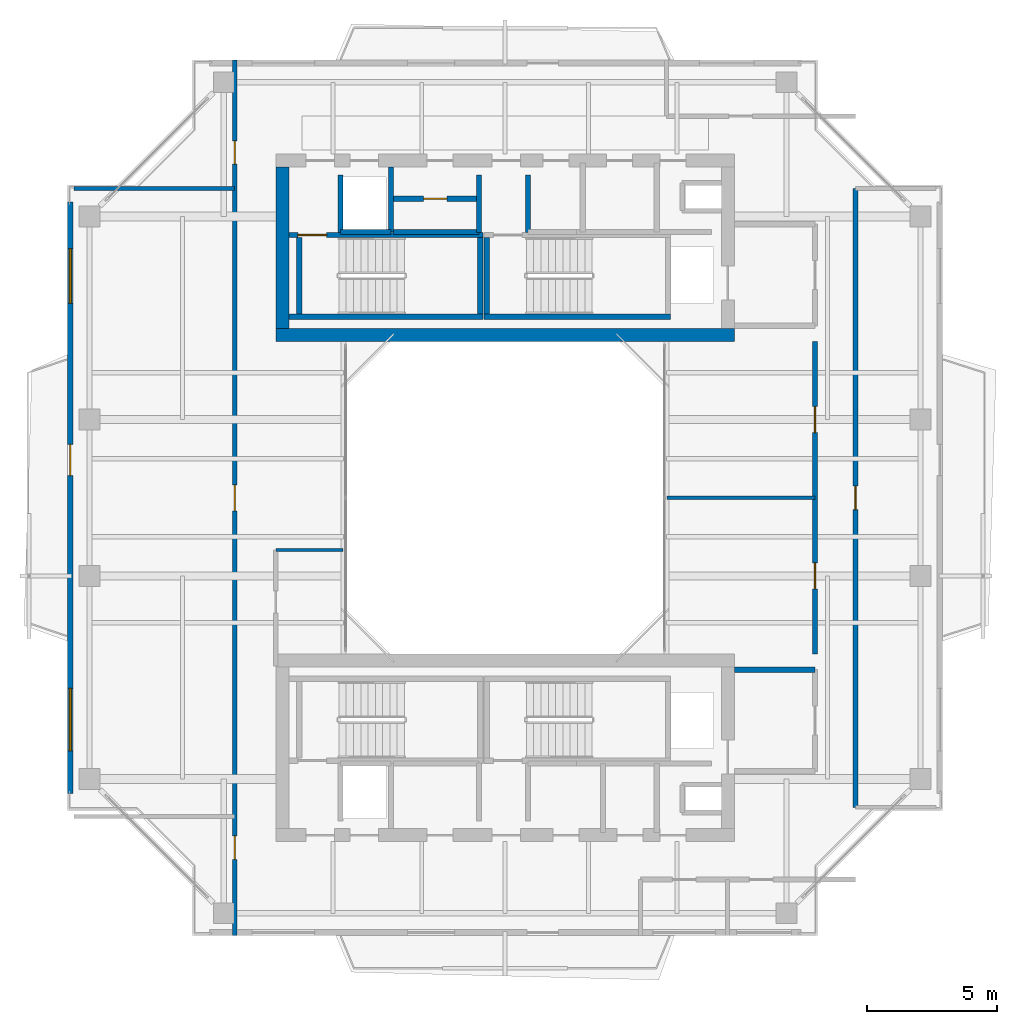
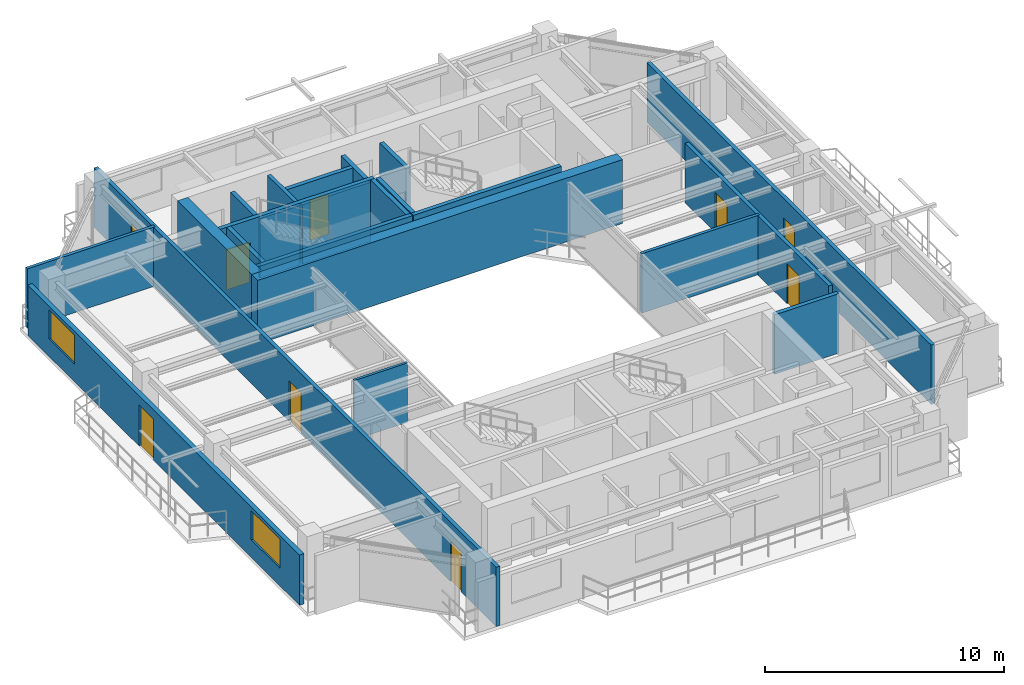
# One storey, part 11 of 16: 23 walls, 9 doors, 2 windows, 11 openings.
"""IFC4 building model written with IfcOpenShell, lengths in metres."""

import ifcopenshell
import ifcopenshell.guid

model = None  # the IFC model being written
_history = None  # IfcOwnerHistory: only IFC2X3 demands one
_inside = {}  # id of a spatial element -> (the spatial element, [elements in it])
_under = {}  # id of a project, library or spatial element -> (it, [spatial elements below it])
_declared = {}  # id of a project -> (the project, [libraries it declares])
_typed = {}  # id of a type object -> (the type object, [elements of that type])
_made_of = {}  # id of a material, layer set ... -> (it, [elements and type objects made of it])


def new_model(schema):
    """Start an empty IFC model of exactly this schema.

    Asked for "IFC4X3", IfcOpenShell would pick the latest addendum, in which some entities
    have other attributes; the version numbers below select the first issue.
    IFC2X3 requires an IfcOwnerHistory on every rooted entity: one is made here for all.
    """
    global model, _history
    if schema == "IFC4X3":
        model = ifcopenshell.file(schema_version=(4, 3, 0, 0))
    else:
        model = ifcopenshell.file(schema=schema)
    _inside.clear()
    _under.clear()
    _declared.clear()
    _typed.clear()
    _made_of.clear()
    _history = None
    if model.schema == "IFC2X3":
        org = make("IfcOrganization", Name="unknown")
        user = make(
            "IfcPersonAndOrganization",
            ThePerson=make("IfcPerson", FamilyName="unknown"),
            TheOrganization=org,
        )
        app = make(
            "IfcApplication",
            ApplicationDeveloper=org,
            Version="unknown",
            ApplicationFullName="unknown",
            ApplicationIdentifier="unknown",
        )
        _history = make(
            "IfcOwnerHistory",
            OwningUser=user,
            OwningApplication=app,
            ChangeAction="ADDED",
            CreationDate=0,
        )
    return model


def make(cls, **values):
    """One entity of the class cls with the attributes given. An attribute that is None is left unset."""
    return model.create_entity(
        cls, **{name: value for name, value in values.items() if value is not None}
    )


def rooted(cls, **values):
    """An entity with a GlobalId (a new one), such as an element, a storey or a relation."""
    return make(cls, GlobalId=ifcopenshell.guid.new(), OwnerHistory=_history, **values)


def si_unit(unit_type, name, prefix=None):
    """IfcSIUnit, for example si_unit("LENGTHUNIT", "METRE", prefix="MILLI")."""
    return make("IfcSIUnit", UnitType=unit_type, Prefix=prefix, Name=name)


def assignment(units):
    """IfcUnitAssignment: the units of a project."""
    return None if units is None else make("IfcUnitAssignment", Units=units)


def point(xyz):
    """IfcCartesianPoint."""
    return None if xyz is None else make("IfcCartesianPoint", Coordinates=xyz)


def direction(xyz):
    """IfcDirection."""
    return None if xyz is None else make("IfcDirection", DirectionRatios=xyz)


def frame(location, z_axis=None, x_axis=None):
    """IfcAxis2Placement3D, a coordinate frame: its origin and axes. An axis left out is left unset."""
    return make(
        "IfcAxis2Placement3D",
        Location=point(location),
        Axis=direction(z_axis),
        RefDirection=direction(x_axis),
    )


def frame_2d(location, x_axis=None):
    """IfcAxis2Placement2D, a coordinate frame in the plane: its origin and x axis."""
    return make(
        "IfcAxis2Placement2D", Location=point(location), RefDirection=direction(x_axis)
    )


def origin():
    """The frame at (0, 0, 0) with its axes left unset."""
    return frame((0.0, 0.0, 0.0))


def place(relative_to, where):
    """IfcLocalPlacement: puts the frame where relative to a parent placement (None: the world)."""
    return make(
        "IfcLocalPlacement", PlacementRelTo=relative_to, RelativePlacement=where
    )


def context(
    kind, dimensions, precision=None, world=None, true_north=None, identifier=None
):
    """IfcGeometricRepresentationContext, for example the 3D "Model" context."""
    return make(
        "IfcGeometricRepresentationContext",
        ContextIdentifier=identifier,
        ContextType=kind,
        CoordinateSpaceDimension=dimensions,
        Precision=precision,
        WorldCoordinateSystem=world,
        TrueNorth=true_north,
    )


def subcontext(parent, identifier, kind, view, scale=None):
    """IfcGeometricRepresentationSubContext, for example "Body" below "Model"."""
    return make(
        "IfcGeometricRepresentationSubContext",
        ContextIdentifier=identifier,
        ContextType=kind,
        ParentContext=parent,
        TargetScale=scale,
        TargetView=view,
    )


def project(units=None, contexts=None):
    """IfcProject with its units and contexts."""
    return rooted(
        "IfcProject",
        Name="project",
        RepresentationContexts=contexts,
        UnitsInContext=assignment(units),
    )


def spatial(cls, under=None, at=None, **own):
    """A site, building, storey or space (cls), placed at a placement, below another one or the project."""
    s = rooted(cls, ObjectPlacement=at, **own)
    if under is not None:
        _under.setdefault(under.id(), (under, []))[1].append(s)
    return s


def profile(cls, at=None, kind="AREA", **sizes):
    """A parametric profile (cls). Its sizes go by their IFC names, for example OverallWidth=200.0."""
    return make(cls, ProfileType=kind, Position=at, **sizes)


def rectangle(**sizes):
    """IfcRectangleProfileDef."""
    return profile("IfcRectangleProfileDef", **sizes)


def extrude(swept, where, along, depth):
    """IfcExtrudedAreaSolid: the profile swept, set in the frame where, extruded along a direction by depth."""
    return make(
        "IfcExtrudedAreaSolid",
        SweptArea=swept,
        Position=where,
        ExtrudedDirection=direction(along),
        Depth=depth,
    )


def shape(context_of_items, identifier, shape_type, items):
    """IfcShapeRepresentation: the items that make up one representation, for example the "Body"."""
    return make(
        "IfcShapeRepresentation",
        ContextOfItems=context_of_items,
        RepresentationIdentifier=identifier,
        RepresentationType=shape_type,
        Items=items,
    )


def source(mapping_origin, context_of_items, identifier, shape_type, items):
    """IfcRepresentationMap: a shape defined once, which mapped items show again and again."""
    return make(
        "IfcRepresentationMap",
        MappingOrigin=mapping_origin,
        MappedRepresentation=shape(context_of_items, identifier, shape_type, items),
    )


def transform(
    local_origin,
    x_axis=None,
    y_axis=None,
    z_axis=None,
    scale=None,
    scale2=None,
    scale3=None,
    uniform=True,
):
    """IfcCartesianTransformationOperator3D, or its non-uniform kind. x_axis, y_axis, z_axis: its Axis1, 2, 3."""
    if uniform:
        return make(
            "IfcCartesianTransformationOperator3D",
            Axis1=direction(x_axis),
            Axis2=direction(y_axis),
            LocalOrigin=point(local_origin),
            Scale=scale,
            Axis3=direction(z_axis),
        )
    return make(
        "IfcCartesianTransformationOperator3DnonUniform",
        Axis1=direction(x_axis),
        Axis2=direction(y_axis),
        LocalOrigin=point(local_origin),
        Scale=scale,
        Axis3=direction(z_axis),
        Scale2=scale2,
        Scale3=scale3,
    )


def mapped(mapping_source, mapping_target):
    """IfcMappedItem: shows the shape of a source again, moved by a transform."""
    return make(
        "IfcMappedItem", MappingSource=mapping_source, MappingTarget=mapping_target
    )


def material(Name=None, Category=None):
    """IfcMaterial."""
    return make("IfcMaterial", Name=Name, Category=Category)


def layer(
    of_material, thickness, ventilated=None, Name=None, Category=None, Priority=None
):
    """IfcMaterialLayer: one layer of a wall or slab, of a material (None: an air gap)."""
    return make(
        "IfcMaterialLayer",
        Material=of_material,
        LayerThickness=thickness,
        IsVentilated=ventilated,
        Name=Name,
        Category=Category,
        Priority=Priority,
    )


def layer_set(layers, Name=None):
    """IfcMaterialLayerSet."""
    return make("IfcMaterialLayerSet", MaterialLayers=layers, LayerSetName=Name)


def made_of(thing, what):
    """Note that an element or type object is made of a material, layer set ...; save() writes the relation."""
    if what is not None:
        _made_of.setdefault(what.id(), (what, []))[1].append(thing)
    return thing


def type_object(cls, material=None, **own):
    """A type object (cls), such as IfcWallType, which elements share."""
    return made_of(rooted(cls, **own), material)


def element(
    cls,
    number,
    at=None,
    inside=None,
    cuts=None,
    type_object=None,
    material=None,
    context=None,
    identifier="Body",
    shape_type=None,
    held_by="IfcProductDefinitionShape",
    body=None,
    shapes=None,
    **own,
):
    """One element of the class cls, such as IfcWall. Its Tag is "e" and its number.

    at: its placement. inside: the storey or other place that contains it. cuts: it is an
    opening in that element (IfcRelVoidsElement). A single representation is given by context,
    identifier, shape_type and body (its items); several are given by shapes. held_by: the class
    of the entity that holds the representations. save() writes the other relations.
    """
    e = rooted(cls, Tag="e%d" % number, ObjectPlacement=at, **own)
    if body is not None:
        shapes = [shape(context, identifier, shape_type, body)]
    if shapes is not None:
        e.Representation = make(held_by, Representations=shapes)
    if inside is not None:
        _inside.setdefault(inside.id(), (inside, []))[1].append(e)
    if cuts is not None:
        rooted(
            "IfcRelVoidsElement", RelatingBuildingElement=cuts, RelatedOpeningElement=e
        )
    if type_object is not None:
        _typed.setdefault(type_object.id(), (type_object, []))[1].append(e)
    return made_of(e, material)


def fill(opening, filler):
    """IfcRelFillsElement: the door or window that sits in an opening."""
    return rooted(
        "IfcRelFillsElement",
        RelatingOpeningElement=opening,
        RelatedBuildingElement=filler,
    )


def aggregate(whole, parts):
    """IfcRelAggregates: a whole, such as a stair, and the parts it consists of."""
    return rooted("IfcRelAggregates", RelatingObject=whole, RelatedObjects=parts)


def save(model, path):
    """Write the relations noted so far, then the file.

    IfcRelAggregates (storeys below a building ...), IfcRelContainedInSpatialStructure (elements
    in a storey), IfcRelDefinesByType, IfcRelAssociatesMaterial and IfcRelDeclares: one each for
    every whole, place, type object, material and project.
    """
    for whole, parts in _under.values():
        aggregate(whole, parts)
    for where, things in _inside.values():
        rooted(
            "IfcRelContainedInSpatialStructure",
            RelatedElements=things,
            RelatingStructure=where,
        )
    for kind, things in _typed.values():
        rooted("IfcRelDefinesByType", RelatedObjects=things, RelatingType=kind)
    for what, things in _made_of.values():
        rooted("IfcRelAssociatesMaterial", RelatedObjects=things, RelatingMaterial=what)
    for by, libraries in _declared.values():
        rooted("IfcRelDeclares", RelatingContext=by, RelatedDefinitions=libraries)
    model.write(path)


model = new_model("IFC4")

# Units and contexts
model_context = context("Model", 3, precision=1e-05, world=origin(), true_north=direction((0.0, 1.0)))
body_context = subcontext(model_context, "Body", "Model", "MODEL_VIEW")
ifc_project = project(units=[si_unit("LENGTHUNIT", "METRE"), si_unit("AREAUNIT", "SQUARE_METRE"), si_unit("VOLUMEUNIT", "CUBIC_METRE"), si_unit("PLANEANGLEUNIT", "RADIAN"), si_unit("MASSUNIT", "GRAM", prefix="KILO"), si_unit("THERMODYNAMICTEMPERATUREUNIT", "KELVIN"), si_unit("POWERUNIT", "WATT")], contexts=[model_context])

# Site, building, storey
site_placement = place(None, origin())
site = spatial("IfcSite", under=ifc_project, at=site_placement, CompositionType="ELEMENT")
building_placement = place(site_placement, origin())
building = spatial("IfcBuilding", under=site, at=building_placement, Name="Qiaomeng Ring Towers", CompositionType="ELEMENT")
storey_placement = place(building_placement, frame((0.0, 0.0, 229.5)))
storey = spatial("IfcBuildingStorey", under=building, at=storey_placement, Name="L67", CompositionType="ELEMENT", Elevation=229.5)

# Wall, openings, windows, door
ifc_material_1 = material(Name="Precast concrete C40", Category="concrete")
ifc_layer_1 = layer(ifc_material_1, 0.219970703125, Name="Precast concrete C40")
ifc_layer_set_1 = layer_set([ifc_layer_1], Name="Precast concrete C40")
wall_type_1 = type_object("IfcWallType", Name="ARC-WL-EW2", PredefinedType="STANDARD", material=ifc_layer_set_1)
wall_1_placement = place(storey_placement, frame((2.31005859375, 11.64990234375, 0.0), z_axis=(0.0, 0.0, 1.0), x_axis=(0.0, 1.0, 0.0)))
wall_1 = element("IfcWall", 1, at=wall_1_placement, inside=storey, type_object=wall_type_1, Name="L67 Tower 1 W Exterior Wall", PredefinedType="STANDARD", context=body_context, shape_type="SweptSolid", body=[
    extrude(rectangle(XDim=22.7001953125, YDim=0.219970703125, at=frame_2d((11.35009765625, 0.0))), origin(), (0.0, 0.0, 1.0), 2.570068359375),
])
opening_1_placement = place(wall_1_placement, frame((12.199951171875, 0.0, 0.0)))
opening_1 = element("IfcOpeningElement", 2, at=opening_1_placement, cuts=wall_1, Name="Opening BD1", PredefinedType="OPENING", context=body_context, shape_type="SweptSolid", body=[
    extrude(rectangle(XDim=1.199951171875, YDim=2.10009765625, at=frame_2d((0.60009765625, 1.050048828125))), frame((0.0, 0.119873046875, 0.0), z_axis=(0.0, -1.0, 0.0), x_axis=(1.0, 0.0, 0.0)), (0.0, 0.0, 1.0), 0.239990234375),
])
opening_2_placement = place(wall_1_placement, frame((1.637939453125, 0.0, 0.89990234375)))
opening_2 = element("IfcOpeningElement", 3, at=opening_2_placement, cuts=wall_1, Name="Opening WN6", PredefinedType="OPENING", context=body_context, shape_type="SweptSolid", body=[
    extrude(rectangle(XDim=2.39990234375, YDim=1.47998046875, at=frame_2d((1.199951171875, 0.739990234375))), frame((0.0, 0.119873046875, 0.0), z_axis=(0.0, -1.0, 0.0), x_axis=(1.0, 0.0, 0.0)), (0.0, 0.0, 1.0), 0.239990234375),
])
opening_3_placement = place(wall_1_placement, frame((18.81298828125, 0.0, 0.89990234375)))
opening_3 = element("IfcOpeningElement", 4, at=opening_3_placement, cuts=wall_1, Name="Opening WN4", PredefinedType="OPENING", context=body_context, shape_type="SweptSolid", body=[
    extrude(rectangle(XDim=2.10009765625, YDim=1.47998046875, at=frame_2d((1.050048828125, 0.739990234375))), frame((0.0, 0.119873046875, 0.0), z_axis=(0.0, -1.0, 0.0), x_axis=(1.0, 0.0, 0.0)), (0.0, 0.0, 1.0), 0.239990234375),
])
ifc_material_2 = material(Name="Low-E dark-grey laminated double glazing", Category="glass")
window_type_1 = type_object("IfcWindowType", Name="ARC-WN-4", PartitioningType="TRIPLE_PANEL_VERTICAL", PredefinedType="WINDOW", material=ifc_material_2)
shared_shape_1 = source(origin(), body_context, "Body", "SweptSolid", [
    extrude(rectangle(XDim=2.10009765625, YDim=1.47998046875, at=frame_2d((1.050048828125, 0.739990234375))), frame((0.0, 0.030029296875, 0.0), z_axis=(0.0, -1.0, 0.0), x_axis=(1.0, 0.0, 0.0)), (0.0, 0.0, 1.0), 0.06005859375),
])
window_1_placement = place(opening_3_placement, origin())
window_1 = element("IfcWindow", 5, at=window_1_placement, inside=storey, type_object=window_type_1, Name="L67 Exterior Window WN4", OverallHeight=1.47998046875, OverallWidth=2.10009765625, PartitioningType="TRIPLE_PANEL_VERTICAL", PredefinedType="WINDOW", context=body_context, shape_type="MappedRepresentation", body=[
    mapped(shared_shape_1, transform((0.0, 0.0, 0.0), x_axis=(1.0, 0.0, 0.0), y_axis=(0.0, 1.0, 0.0), z_axis=(0.0, 0.0, 1.0), scale=1.0)),
])
fill(opening_3, window_1)
window_type_2 = type_object("IfcWindowType", Name="ARC-WN-6", PartitioningType="TRIPLE_PANEL_VERTICAL", PredefinedType="WINDOW", material=ifc_material_2)
shared_shape_2 = source(origin(), body_context, "Body", "SweptSolid", [
    extrude(rectangle(XDim=2.39990234375, YDim=1.47998046875, at=frame_2d((1.199951171875, 0.739990234375))), frame((0.0, 0.030029296875, 0.0), z_axis=(0.0, -1.0, 0.0), x_axis=(1.0, 0.0, 0.0)), (0.0, 0.0, 1.0), 0.06005859375),
])
window_2_placement = place(opening_2_placement, origin())
window_2 = element("IfcWindow", 6, at=window_2_placement, inside=storey, type_object=window_type_2, Name="L67 Exterior Window WN6", OverallHeight=1.47998046875, OverallWidth=2.39990234375, PartitioningType="TRIPLE_PANEL_VERTICAL", PredefinedType="WINDOW", context=body_context, shape_type="MappedRepresentation", body=[
    mapped(shared_shape_2, transform((0.0, 0.0, 0.0), x_axis=(1.0, 0.0, 0.0), y_axis=(0.0, 1.0, 0.0), z_axis=(0.0, 0.0, 1.0), scale=1.0)),
])
fill(opening_2, window_2)
door_type_1 = type_object("IfcDoorType", Name="ARC-DR-BD1", OperationType="NOTDEFINED", PredefinedType="DOOR", material=ifc_material_2)
shared_shape_3 = source(origin(), body_context, "Body", "SweptSolid", [
    extrude(rectangle(XDim=1.199951171875, YDim=2.10009765625, at=frame_2d((0.60009765625, 1.050048828125))), frame((0.0, 0.02490234375, 0.0), z_axis=(0.0, -1.0, 0.0), x_axis=(1.0, 0.0, 0.0)), (0.0, 0.0, 1.0), 0.050048828125),
])
door_1_placement = place(opening_1_placement, frame((1.199951171875, 0.0, 0.0), z_axis=(0.0, 0.0, 1.0), x_axis=(-1.0, 0.0, 0.0)))
door_1 = element("IfcDoor", 7, at=door_1_placement, inside=storey, type_object=door_type_1, Name="L67 W Balcony Glazed Door", OperationType="SINGLE_SWING_LEFT", OverallHeight=2.10009765625, OverallWidth=1.199951171875, PredefinedType="DOOR", context=body_context, shape_type="MappedRepresentation", body=[
    mapped(shared_shape_3, transform((0.0, 0.0, 0.0), x_axis=(1.0, 0.0, 0.0), y_axis=(0.0, 1.0, 0.0), z_axis=(0.0, 0.0, 1.0), scale=1.0)),
])
fill(opening_1, door_1)

# Walls
ifc_material_3 = material(Name="Autoclaved aerated concrete block", Category="concrete")
ifc_layer_2 = layer(ifc_material_3, 0.199951171875, Name="Autoclaved aerated concrete block")
ifc_layer_set_2 = layer_set([ifc_layer_2], Name="Autoclaved aerated concrete block")
wall_type_2 = type_object("IfcWallType", Name="ARC-WL-PW1", PredefinedType="PARTITIONING", material=ifc_layer_set_2)
wall_2_placement = place(storey_placement, frame((27.800048828125, 16.39990234375, 0.0), z_axis=(0.0, 0.0, 1.0), x_axis=(1.0, 0.0, 0.0)))
element("IfcWall", 8, at=wall_2_placement, inside=storey, type_object=wall_type_2, Name="L67 Interior Wall PW1", PredefinedType="PARTITIONING", context=body_context, shape_type="SweptSolid", body=[
    extrude(rectangle(XDim=3.099853515625, YDim=0.199951171875, at=frame_2d((1.5498046875, 0.0))), origin(), (0.0, 0.0, 1.0), 3.030029296875),
])
for number, where, z_axis, x_axis, name in (
    (9, (12.679931640625, 33.18994140625, 0.0), (0.0, 0.0, 1.0), (0.0, 1.0, 0.0), "L67 Interior Wall PW1"),
    (10, (18.0, 33.18994140625, 0.0), (0.0, 0.0, 1.0), (0.0, 1.0, 0.0), "L67 Interior Wall PW1"),
    (11, (19.8798828125, 33.18994140625, 0.0), (0.0, 0.0, 1.0), (0.0, 1.0, 0.0), "L67 Interior Wall PW1"),
):
    element("IfcWall", number, at=place(storey_placement, frame(where, z_axis=z_axis, x_axis=x_axis)), inside=storey, type_object=wall_type_2, Name=name, PredefinedType="PARTITIONING", context=body_context, shape_type="SweptSolid", body=[
        extrude(rectangle(XDim=2.2099609375, YDim=0.199951171875, at=frame_2d((1.10498046875, 0.0))), origin(), (0.0, 0.0, 1.0), 3.030029296875),
    ])

# Wall, opening, door
wall_3_placement = place(storey_placement, frame((14.719970703125, 34.47998046875, 0.0), z_axis=(0.0, 0.0, 1.0), x_axis=(1.0, 0.0, 0.0)))
wall_3 = element("IfcWall", 12, at=wall_3_placement, inside=storey, type_object=wall_type_2, Name="L67 Interior Wall PW1", PredefinedType="PARTITIONING", context=body_context, shape_type="SweptSolid", body=[
    extrude(rectangle(XDim=3.280029296875, YDim=0.199951171875, at=frame_2d((1.64013671875, 0.0))), origin(), (0.0, 0.0, 1.0), 3.030029296875),
])
opening_4_placement = place(wall_3_placement, frame((1.14990234375, 0.0, 0.0)))
opening_4 = element("IfcOpeningElement", 13, at=opening_4_placement, cuts=wall_3, Name="Opening ID1", PredefinedType="OPENING", context=body_context, shape_type="SweptSolid", body=[
    extrude(rectangle(XDim=0.89990234375, YDim=2.050048828125, at=frame_2d((0.449951171875, 1.02490234375))), frame((0.0, 0.10986328125, 0.0), z_axis=(0.0, -1.0, 0.0), x_axis=(1.0, 0.0, 0.0)), (0.0, 0.0, 1.0), 0.219970703125),
])
ifc_material_4 = material(Name="Engineered oak timber", Category="wood")
door_type_2 = type_object("IfcDoorType", Name="ARC-DR-ID1", OperationType="NOTDEFINED", PredefinedType="DOOR", material=ifc_material_4)
shared_shape_4 = source(origin(), body_context, "Body", "SweptSolid", [
    extrude(rectangle(XDim=0.89990234375, YDim=2.050048828125, at=frame_2d((0.449951171875, 1.02490234375))), frame((0.0, 0.02490234375, 0.0), z_axis=(0.0, -1.0, 0.0), x_axis=(1.0, 0.0, 0.0)), (0.0, 0.0, 1.0), 0.050048828125),
])
door_2_placement = place(opening_4_placement, origin())
door_2 = element("IfcDoor", 14, at=door_2_placement, inside=storey, type_object=door_type_2, Name="L67 Door ID1", OperationType="SINGLE_SWING_RIGHT", OverallHeight=2.050048828125, OverallWidth=0.89990234375, PredefinedType="DOOR", context=body_context, shape_type="MappedRepresentation", body=[
    mapped(shared_shape_4, transform((0.0, 0.0, 0.0), x_axis=(1.0, 0.0, 0.0), y_axis=(0.0, 1.0, 0.0), z_axis=(0.0, 0.0, 1.0), scale=1.0)),
])
fill(opening_4, door_2)

# Wall
wall_4_placement = place(storey_placement, frame((14.719970703125, 33.199951171875, 0.0), z_axis=(0.0, 0.0, 1.0), x_axis=(1.0, 0.0, 0.0)))
element("IfcWall", 15, at=wall_4_placement, inside=storey, type_object=wall_type_2, Name="L67 Interior Wall PW1", PredefinedType="PARTITIONING", context=body_context, shape_type="SweptSolid", body=[
    extrude(rectangle(XDim=3.280029296875, YDim=0.199951171875, at=frame_2d((1.64013671875, 0.0))), origin(), (0.0, 0.0, 1.0), 3.030029296875),
])

# Wall, openings, doors
ifc_layer_3 = layer(ifc_material_3, 0.179931640625, Name="Autoclaved aerated concrete block")
ifc_layer_set_3 = layer_set([ifc_layer_3], Name="Autoclaved aerated concrete block")
wall_type_3 = type_object("IfcWallType", Name="ARC-WL-PW2", PredefinedType="PARTITIONING", material=ifc_layer_set_3)
wall_5_placement = place(storey_placement, frame((8.6201171875, 6.199951171875, 0.0), z_axis=(0.0, 0.0, 1.0), x_axis=(0.0, 1.0, 0.0)))
wall_5 = element("IfcWall", 16, at=wall_5_placement, inside=storey, type_object=wall_type_3, Name="L67 Interior Wall PW2", PredefinedType="PARTITIONING", context=body_context, shape_type="SweptSolid", body=[
    extrude(rectangle(XDim=33.60009765625, YDim=0.179931640625, at=frame_2d((16.800048828125, 0.0))), origin(), (0.0, 0.0, 1.0), 3.030029296875),
])
opening_5_placement = place(wall_5_placement, frame((29.60498046875, 0.0, 0.0)))
opening_5 = element("IfcOpeningElement", 17, at=opening_5_placement, cuts=wall_5, Name="Opening ID1", PredefinedType="OPENING", context=body_context, shape_type="SweptSolid", body=[
    extrude(rectangle(XDim=0.89990234375, YDim=2.050048828125, at=frame_2d((0.449951171875, 1.02490234375))), frame((0.0, 0.099853515625, 0.0), z_axis=(0.0, -1.0, 0.0), x_axis=(1.0, 0.0, 0.0)), (0.0, 0.0, 1.0), 0.199951171875),
])
opening_6_placement = place(wall_5_placement, frame((2.919921875, 0.0, 0.0)))
opening_6 = element("IfcOpeningElement", 18, at=opening_6_placement, cuts=wall_5, Name="Opening ID1", PredefinedType="OPENING", context=body_context, shape_type="SweptSolid", body=[
    extrude(rectangle(XDim=0.89990234375, YDim=2.050048828125, at=frame_2d((0.449951171875, 1.02490234375))), frame((0.0, 0.099853515625, 0.0), z_axis=(0.0, -1.0, 0.0), x_axis=(1.0, 0.0, 0.0)), (0.0, 0.0, 1.0), 0.199951171875),
])
opening_7_placement = place(wall_5_placement, frame((16.300048828125, 0.0, 0.0)))
opening_7 = element("IfcOpeningElement", 19, at=opening_7_placement, cuts=wall_5, Name="Opening FD4", PredefinedType="OPENING", context=body_context, shape_type="SweptSolid", body=[
    extrude(rectangle(XDim=1.0, YDim=2.050048828125, at=frame_2d((0.5, 1.02490234375))), frame((0.0, 0.099853515625, 0.0), z_axis=(0.0, -1.0, 0.0), x_axis=(1.0, 0.0, 0.0)), (0.0, 0.0, 1.0), 0.199951171875),
])
ifc_material_5 = material(Name="Engineered fire-rated oak timber", Category="wood")
door_type_3 = type_object("IfcDoorType", Name="ARC-DR-FD4", OperationType="NOTDEFINED", PredefinedType="DOOR", material=ifc_material_5)
shared_shape_5 = source(origin(), body_context, "Body", "SweptSolid", [
    extrude(rectangle(XDim=1.0, YDim=2.050048828125, at=frame_2d((0.5, 1.02490234375))), frame((0.0, 0.02490234375, 0.0), z_axis=(0.0, -1.0, 0.0), x_axis=(1.0, 0.0, 0.0)), (0.0, 0.0, 1.0), 0.050048828125),
])
door_3_placement = place(opening_7_placement, origin())
door_3 = element("IfcDoor", 20, at=door_3_placement, inside=storey, type_object=door_type_3, Name="L67 Door FD4", OperationType="SINGLE_SWING_RIGHT", OverallHeight=2.050048828125, OverallWidth=1.0, PredefinedType="DOOR", context=body_context, shape_type="MappedRepresentation", body=[
    mapped(shared_shape_5, transform((0.0, 0.0, 0.0), x_axis=(1.0, 0.0, 0.0), y_axis=(0.0, 1.0, 0.0), z_axis=(0.0, 0.0, 1.0), scale=1.0)),
])
fill(opening_7, door_3)
door_4_placement = place(opening_5_placement, origin())
door_4 = element("IfcDoor", 21, at=door_4_placement, inside=storey, type_object=door_type_2, Name="L67 Door ID1", OperationType="SINGLE_SWING_RIGHT", OverallHeight=2.050048828125, OverallWidth=0.89990234375, PredefinedType="DOOR", context=body_context, shape_type="MappedRepresentation", body=[
    mapped(shared_shape_4, transform((0.0, 0.0, 0.0), x_axis=(1.0, 0.0, 0.0), y_axis=(0.0, 1.0, 0.0), z_axis=(0.0, 0.0, 1.0), scale=1.0)),
])
fill(opening_5, door_4)
door_5_placement = place(opening_6_placement, origin())
door_5 = element("IfcDoor", 22, at=door_5_placement, inside=storey, type_object=door_type_2, Name="L67 Door ID1", OperationType="SINGLE_SWING_LEFT", OverallHeight=2.050048828125, OverallWidth=0.89990234375, PredefinedType="DOOR", context=body_context, shape_type="MappedRepresentation", body=[
    mapped(shared_shape_4, transform((0.0, 0.0, 0.0), x_axis=(1.0, 0.0, 0.0), y_axis=(0.0, 1.0, 0.0), z_axis=(0.0, 0.0, 1.0), scale=1.0)),
])
fill(opening_6, door_5)

wall_6_placement = place(storey_placement, frame((30.89990234375, 17.0, 0.0), z_axis=(0.0, 0.0, 1.0), x_axis=(0.0, 1.0, 0.0)))
wall_6 = element("IfcWall", 23, at=wall_6_placement, inside=storey, type_object=wall_type_3, Name="L67 Interior Wall PW2", PredefinedType="PARTITIONING", context=body_context, shape_type="SweptSolid", body=[
    extrude(rectangle(XDim=12.0, YDim=0.179931640625, at=frame_2d((6.0, 0.0))), origin(), (0.0, 0.0, 1.0), 3.030029296875),
])
opening_8_placement = place(wall_6_placement, frame((2.5, 0.0, 0.0)))
opening_8 = element("IfcOpeningElement", 24, at=opening_8_placement, cuts=wall_6, Name="Opening FD4", PredefinedType="OPENING", context=body_context, shape_type="SweptSolid", body=[
    extrude(rectangle(XDim=1.0, YDim=2.050048828125, at=frame_2d((0.5, 1.02490234375))), frame((0.0, 0.099853515625, 0.0), z_axis=(0.0, -1.0, 0.0), x_axis=(1.0, 0.0, 0.0)), (0.0, 0.0, 1.0), 0.199951171875),
])
opening_9_placement = place(wall_6_placement, frame((8.5, 0.0, 0.0)))
opening_9 = element("IfcOpeningElement", 25, at=opening_9_placement, cuts=wall_6, Name="Opening FD4", PredefinedType="OPENING", context=body_context, shape_type="SweptSolid", body=[
    extrude(rectangle(XDim=1.0, YDim=2.050048828125, at=frame_2d((0.5, 1.02490234375))), frame((0.0, 0.099853515625, 0.0), z_axis=(0.0, -1.0, 0.0), x_axis=(1.0, 0.0, 0.0)), (0.0, 0.0, 1.0), 0.199951171875),
])
door_6_placement = place(opening_8_placement, origin())
door_6 = element("IfcDoor", 26, at=door_6_placement, inside=storey, type_object=door_type_3, Name="L67 Door FD4", OperationType="SINGLE_SWING_RIGHT", OverallHeight=2.050048828125, OverallWidth=1.0, PredefinedType="DOOR", context=body_context, shape_type="MappedRepresentation", body=[
    mapped(shared_shape_5, transform((0.0, 0.0, 0.0), x_axis=(1.0, 0.0, 0.0), y_axis=(0.0, 1.0, 0.0), z_axis=(0.0, 0.0, 1.0), scale=1.0)),
])
fill(opening_8, door_6)
door_7_placement = place(opening_9_placement, origin())
door_7 = element("IfcDoor", 27, at=door_7_placement, inside=storey, type_object=door_type_3, Name="L67 Door FD4", OperationType="SINGLE_SWING_LEFT", OverallHeight=2.050048828125, OverallWidth=1.0, PredefinedType="DOOR", context=body_context, shape_type="MappedRepresentation", body=[
    mapped(shared_shape_5, transform((0.0, 0.0, 0.0), x_axis=(1.0, 0.0, 0.0), y_axis=(0.0, 1.0, 0.0), z_axis=(0.0, 0.0, 1.0), scale=1.0)),
])
fill(opening_9, door_7)

# Wall, opening, door
wall_7_placement = place(storey_placement, frame((32.449951171875, 11.1201171875, 0.0), z_axis=(0.0, 0.0, 1.0), x_axis=(0.0, 1.0, 0.0)))
wall_7 = element("IfcWall", 28, at=wall_7_placement, inside=storey, type_object=wall_type_3, Name="L67 Interior Wall PW2", PredefinedType="PARTITIONING", context=body_context, shape_type="SweptSolid", body=[
    extrude(rectangle(XDim=23.759765625, YDim=0.179931640625, at=frame_2d((11.8798828125, 0.0))), origin(), (0.0, 0.0, 1.0), 3.030029296875),
])
opening_10_placement = place(wall_7_placement, frame((11.429931640625, 0.0, 0.0)))
opening_10 = element("IfcOpeningElement", 29, at=opening_10_placement, cuts=wall_7, Name="Opening ID1", PredefinedType="OPENING", context=body_context, shape_type="SweptSolid", body=[
    extrude(rectangle(XDim=0.89990234375, YDim=2.050048828125, at=frame_2d((0.449951171875, 1.02490234375))), frame((0.0, 0.099853515625, 0.0), z_axis=(0.0, -1.0, 0.0), x_axis=(1.0, 0.0, 0.0)), (0.0, 0.0, 1.0), 0.199951171875),
])
door_8_placement = place(opening_10_placement, origin())
door_8 = element("IfcDoor", 30, at=door_8_placement, inside=storey, type_object=door_type_2, Name="L67 Door ID1", OperationType="SINGLE_SWING_RIGHT", OverallHeight=2.050048828125, OverallWidth=0.89990234375, PredefinedType="DOOR", context=body_context, shape_type="MappedRepresentation", body=[
    mapped(shared_shape_4, transform((0.0, 0.0, 0.0), x_axis=(1.0, 0.0, 0.0), y_axis=(0.0, 1.0, 0.0), z_axis=(0.0, 0.0, 1.0), scale=1.0)),
])
fill(opening_10, door_8)

# Walls
ifc_material_6 = material(Name="Gypsum fireboard steel-stud partition", Category="steel")
ifc_layer_4 = layer(ifc_material_6, 0.14990234375, Name="Gypsum fireboard steel-stud partition")
ifc_layer_set_4 = layer_set([ifc_layer_4], Name="Gypsum fireboard steel-stud partition")
wall_type_4 = type_object("IfcWallType", Name="ARC-WL-PW3", PredefinedType="PARTITIONING", material=ifc_layer_set_4)
wall_8_placement = place(storey_placement, frame((2.449951171875, 34.8798828125, 0.0), z_axis=(0.0, 0.0, 1.0), x_axis=(1.0, 0.0, 0.0)))
element("IfcWall", 31, at=wall_8_placement, inside=storey, type_object=wall_type_4, Name="L67 Interior Wall PW3", PredefinedType="PARTITIONING", context=body_context, shape_type="SweptSolid", body=[
    extrude(rectangle(XDim=6.170166015625, YDim=0.14990234375, at=frame_2d((3.0849609375, 0.0))), origin(), (0.0, 0.0, 1.0), 3.030029296875),
])
wall_9_placement = place(storey_placement, frame((25.219970703125, 23.0, 0.0), z_axis=(0.0, 0.0, 1.0), x_axis=(1.0, 0.0, 0.0)))
element("IfcWall", 32, at=wall_9_placement, inside=storey, type_object=wall_type_4, Name="L67 Interior Wall PW3", PredefinedType="PARTITIONING", context=body_context, shape_type="SweptSolid", body=[
    extrude(rectangle(XDim=5.679931640625, YDim=0.14990234375, at=frame_2d((2.83984375, 0.0))), origin(), (0.0, 0.0, 1.0), 3.030029296875),
])
ifc_material_7 = material(Name="Moisture-resistant gypsum steel-stud partition", Category="steel")
ifc_layer_5 = layer(ifc_material_7, 0.1201171875, Name="Moisture-resistant gypsum steel-stud partition")
ifc_layer_set_5 = layer_set([ifc_layer_5], Name="Moisture-resistant gypsum steel-stud partition")
wall_type_5 = type_object("IfcWallType", Name="ARC-WL-PW4", PredefinedType="PLUMBINGWALL", material=ifc_layer_set_5)
wall_10_placement = place(storey_placement, frame((10.199951171875, 21.0, 0.0), z_axis=(0.0, 0.0, 1.0), x_axis=(1.0, 0.0, 0.0)))
element("IfcWall", 33, at=wall_10_placement, inside=storey, type_object=wall_type_5, Name="L67 Interior Wall PW4", PredefinedType="PLUMBINGWALL", context=body_context, shape_type="SweptSolid", body=[
    extrude(rectangle(XDim=2.580078125, YDim=0.1201171875, at=frame_2d((1.2900390625, 0.0))), origin(), (0.0, 0.0, 1.0), 3.030029296875),
])
ifc_material_8 = material(Name="Concrete C40", Category="concrete")
ifc_layer_6 = layer(ifc_material_8, 0.199951171875, Name="Concrete C40")
ifc_layer_set_6 = layer_set([ifc_layer_6], Name="Concrete C40")
wall_type_6 = type_object("IfcWallType", Name="STR-WL-STSHAFT", PredefinedType="SHEAR", material=ifc_layer_set_6)
wall_11_placement = place(storey_placement, frame((12.679931640625, 33.199951171875, 0.0), z_axis=(0.0, 0.0, 1.0), x_axis=(1.0, 0.0, 0.0)))
element("IfcWall", 34, at=wall_11_placement, inside=storey, type_object=wall_type_6, Name="L67 Lift LP5 Shaft Back Wall", PredefinedType="SHEAR", context=body_context, shape_type="SweptSolid", body=[
    extrude(rectangle(XDim=1.940185546875, YDim=0.179931640625, at=frame_2d((0.97021484375, 0.0))), origin(), (0.0, 0.0, 1.0), 3.030029296875),
])
wall_12_placement = place(storey_placement, frame((14.6201171875, 33.199951171875, 0.0), z_axis=(0.0, 0.0, 1.0), x_axis=(0.0, 1.0, 0.0)))
element("IfcWall", 35, at=wall_12_placement, inside=storey, type_object=wall_type_6, Name="L67 Lift LP5-LP3 Shaft Divider Wall", PredefinedType="SHEAR", context=body_context, shape_type="SweptSolid", body=[
    extrude(rectangle(XDim=2.5, YDim=0.179931640625, at=frame_2d((1.25, 0.0))), origin(), (0.0, 0.0, 1.0), 3.030029296875),
])
wall_13_placement = place(storey_placement, frame((10.699951171875, 29.949951171875, 0.0), z_axis=(0.0, 0.0, 1.0), x_axis=(1.0, 0.0, 0.0)))
element("IfcWall", 36, at=wall_13_placement, inside=storey, type_object=wall_type_6, Name="L67 Stair ST1 South Shaft Shear Wall", PredefinedType="SHEAR", context=body_context, shape_type="SweptSolid", body=[
    extrude(rectangle(XDim=7.449951171875, YDim=0.199951171875, at=frame_2d((3.72509765625, 0.0))), origin(), (0.0, 0.0, 1.0), 3.25),
])

# Wall, opening, door
wall_14_placement = place(storey_placement, frame((10.699951171875, 33.090087890625, 0.0), z_axis=(0.0, 0.0, 1.0), x_axis=(1.0, 0.0, 0.0)))
wall_14 = element("IfcWall", 37, at=wall_14_placement, inside=storey, type_object=wall_type_6, Name="L67 Stair ST1 North Shaft Shear Wall", PredefinedType="SHEAR", context=body_context, shape_type="SweptSolid", body=[
    extrude(rectangle(XDim=7.449951171875, YDim=0.199951171875, at=frame_2d((3.72509765625, 0.0))), origin(), (0.0, 0.0, 1.0), 3.25),
])
opening_11_placement = place(wall_14_placement, frame((0.35009765625, 0.0, 0.0)))
opening_11 = element("IfcOpeningElement", 38, at=opening_11_placement, cuts=wall_14, Name="Opening FD3", PredefinedType="OPENING", context=body_context, shape_type="SweptSolid", body=[
    extrude(rectangle(XDim=1.10009765625, YDim=2.050048828125, at=frame_2d((0.550048828125, 1.02490234375))), frame((0.0, 0.10986328125, 0.0), z_axis=(0.0, -1.0, 0.0), x_axis=(1.0, 0.0, 0.0)), (0.0, 0.0, 1.0), 0.219970703125),
])
ifc_material_9 = material(Name="Galvanised steel", Category="steel")
door_type_4 = type_object("IfcDoorType", Name="ARC-DR-FD3", OperationType="NOTDEFINED", PredefinedType="DOOR", material=ifc_material_9)
shared_shape_6 = source(origin(), body_context, "Body", "SweptSolid", [
    extrude(rectangle(XDim=1.10009765625, YDim=2.050048828125, at=frame_2d((0.550048828125, 1.02490234375))), frame((0.0, 0.02490234375, 0.0), z_axis=(0.0, -1.0, 0.0), x_axis=(1.0, 0.0, 0.0)), (0.0, 0.0, 1.0), 0.050048828125),
])
door_9_placement = place(opening_11_placement, origin())
door_9 = element("IfcDoor", 39, at=door_9_placement, inside=storey, type_object=door_type_4, Name="L67 Stair ST1 Exit Door", OperationType="SINGLE_SWING_LEFT", OverallHeight=2.050048828125, OverallWidth=1.10009765625, PredefinedType="DOOR", context=body_context, shape_type="MappedRepresentation", body=[
    mapped(shared_shape_6, transform((0.0, 0.0, 0.0), x_axis=(1.0, 0.0, 0.0), y_axis=(0.0, 1.0, 0.0), z_axis=(0.0, 0.0, 1.0), scale=1.0)),
])
fill(opening_11, door_9)

# Walls
for number, where, z_axis, x_axis, name in (
    (40, (11.10009765625, 30.050048828125, 0.0), (0.0, 0.0, 1.0), (0.0, 1.0, 0.0), "L67 Stair ST1 West Shaft Shear Wall"),
    (41, (18.050048828125, 30.050048828125, 0.0), (0.0, 0.0, 1.0), (0.0, 1.0, 0.0), "L67 Stair ST1 East Shaft Shear Wall"),
):
    element("IfcWall", number, at=place(storey_placement, frame(where, z_axis=z_axis, x_axis=x_axis)), inside=storey, type_object=wall_type_6, Name=name, PredefinedType="SHEAR", context=body_context, shape_type="SweptSolid", body=[
        extrude(rectangle(XDim=2.93994140625, YDim=0.199951171875, at=frame_2d((1.469970703125, 0.0))), origin(), (0.0, 0.0, 1.0), 3.25),
    ])
wall_15_placement = place(storey_placement, frame((18.199951171875, 29.949951171875, 0.0), z_axis=(0.0, 0.0, 1.0), x_axis=(1.0, 0.0, 0.0)))
element("IfcWall", 42, at=wall_15_placement, inside=storey, type_object=wall_type_6, Name="L67 Stair ST2 South Shaft Shear Wall", PredefinedType="SHEAR", context=body_context, shape_type="SweptSolid", body=[
    extrude(rectangle(XDim=7.150146484375, YDim=0.199951171875, at=frame_2d((3.5751953125, 0.0))), origin(), (0.0, 0.0, 1.0), 3.25),
])
wall_16_placement = place(storey_placement, frame((18.300048828125, 30.050048828125, 0.0), z_axis=(0.0, 0.0, 1.0), x_axis=(0.0, 1.0, 0.0)))
element("IfcWall", 43, at=wall_16_placement, inside=storey, type_object=wall_type_6, Name="L67 Stair ST2 West Shaft Shear Wall", PredefinedType="SHEAR", context=body_context, shape_type="SweptSolid", body=[
    extrude(rectangle(XDim=2.93994140625, YDim=0.199951171875, at=frame_2d((1.469970703125, 0.0))), origin(), (0.0, 0.0, 1.0), 3.25),
])
ifc_layer_7 = layer(ifc_material_8, 0.5, Name="Concrete C40")
ifc_layer_set_7 = layer_set([ifc_layer_7], Name="Concrete C40")
wall_type_7 = type_object("IfcWallType", Name="STR-WL-SW3", PredefinedType="SHEAR", material=ifc_layer_set_7)
wall_17_placement = place(storey_placement, frame((10.199951171875, 29.25, 0.0), z_axis=(0.0, 0.0, 1.0), x_axis=(1.0, 0.0, 0.0)))
element("IfcWall", 44, at=wall_17_placement, inside=storey, type_object=wall_type_7, Name="L67 T1NC south core shear wall", PredefinedType="SHEAR", context=body_context, shape_type="SweptSolid", body=[
    extrude(rectangle(XDim=17.60009765625, YDim=0.5, at=frame_2d((8.800048828125, 0.0))), origin(), (0.0, 0.0, 1.0), 3.25),
])
wall_18_placement = place(storey_placement, frame((10.449951171875, 29.5, 0.0), z_axis=(0.0, 0.0, 1.0), x_axis=(0.0, 1.0, 0.0)))
element("IfcWall", 45, at=wall_18_placement, inside=storey, type_object=wall_type_7, Name="L67 T1NC west core shear wall", PredefinedType="SHEAR", context=body_context, shape_type="SweptSolid", body=[
    extrude(rectangle(XDim=6.199951171875, YDim=0.5, at=frame_2d((3.10009765625, 0.0))), origin(), (0.0, 0.0, 1.0), 3.25),
])

save(model, "model.ifc")
